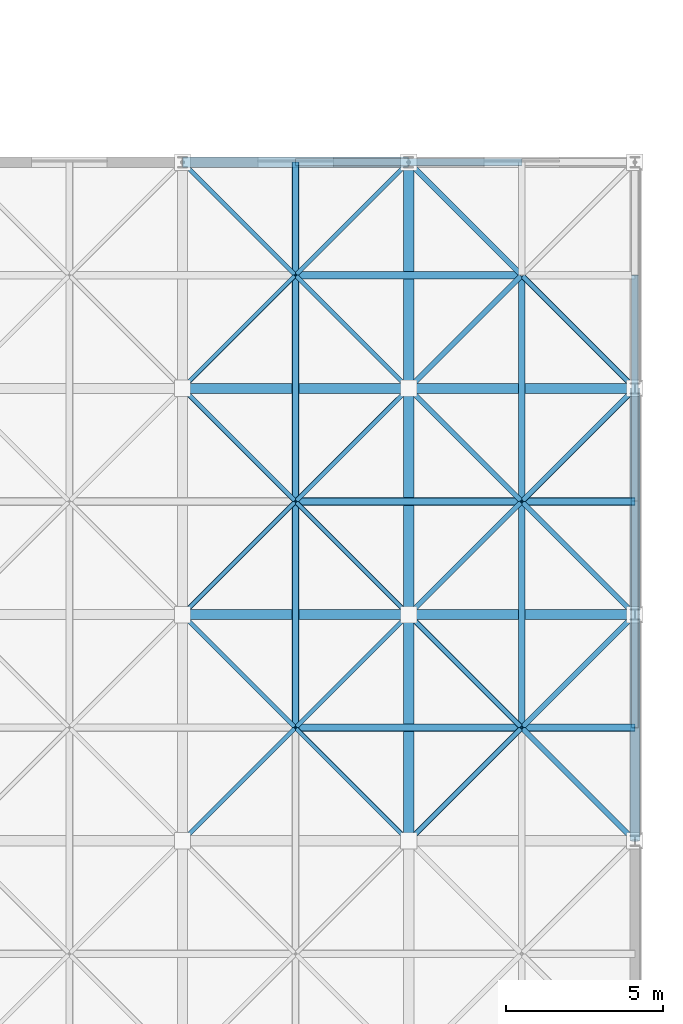
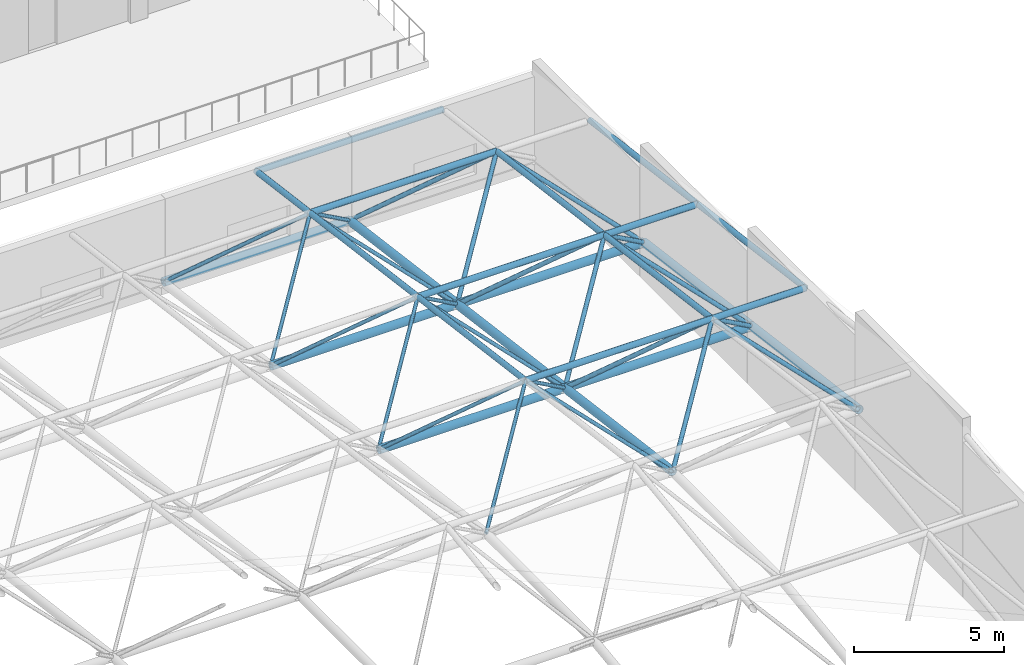
# One storey, part 61 of 103: 46 members.
"""IFC4 building model written with IfcOpenShell, lengths in metres."""

from ifc_helpers import new_model, si_unit, direction, frame, origin, origin_2d, place, context, subcontext, project, spatial, hollow_circle, extrude, material, material_profile, profile_set, type_object, element, save


model = new_model("IFC4")

# Units and contexts
model_context = context("Model", 3, precision=1e-05, world=origin(), true_north=direction((0.0, 1.0)))
body_context = subcontext(model_context, "Body", "Model", "MODEL_VIEW")
ifc_project = project(units=[si_unit("LENGTHUNIT", "METRE"), si_unit("AREAUNIT", "SQUARE_METRE"), si_unit("VOLUMEUNIT", "CUBIC_METRE"), si_unit("PLANEANGLEUNIT", "RADIAN"), si_unit("MASSUNIT", "GRAM", prefix="KILO")], contexts=[model_context])

# Site, building, storey
site_placement = place(None, origin())
site = spatial("IfcSite", under=ifc_project, at=site_placement, CompositionType="ELEMENT")
building_placement = place(site_placement, origin())
building = spatial("IfcBuilding", under=site, at=building_placement, Name="Thalmaran Polytechnic", CompositionType="ELEMENT")
storey_placement = place(building_placement, frame((0.0, 0.0, 14.39990234375)))
storey = spatial("IfcBuildingStorey", under=building, at=storey_placement, Name="L03", CompositionType="ELEMENT", Elevation=14.39990234375)

# Members
ifc_material = material(Name="Steel S355", Category="steel")
ifc_material_profile_1 = material_profile(ifc_material, hollow_circle(Radius=0.161865234375, WallThickness=0.012451171875, at=origin_2d()), Name="CHS 323.9x12.5")
ifc_profile_set_1 = profile_set([ifc_material_profile_1], Name="Steel S355")
member_type_1 = type_object("IfcMemberType", Name="MB-SFC0", PredefinedType="CHORD", material=ifc_profile_set_1)
member_1_placement = place(storey_placement, frame((158.39990234375, 50.39990234375, 0.380126953125), z_axis=(1.0, 0.0, 0.0), x_axis=(0.0, 1.0, 0.0)))
element("IfcMember", 1, at=member_1_placement, inside=storey, type_object=member_type_1, Name="Space-Frame Bottom Chord X (7,8)", PredefinedType="CHORD", context=body_context, shape_type="SweptSolid", body=[
    extrude(hollow_circle(Radius=0.161865234375, WallThickness=0.012451171875, at=origin_2d()), origin(), (0.0, 0.0, 1.0), 7.2001953125),
])
for number, where, z_axis, x_axis, name in (
    (2, (172.800048828125, 28.800048828125, 3.223876953125), (0.0, 0.991442963585, -0.130540606544), (-1.0, 0.0, 0.0), "Space-Frame Bottom Chord Y (9,5)"),
    (3, (172.800048828125, 36.0, 2.27587890625), (0.0, 0.991442963585, -0.130540606544), (-1.0, 0.0, 0.0), "Space-Frame Bottom Chord Y (9,6)"),
):
    element("IfcMember", number, at=place(storey_placement, frame(where, z_axis=z_axis, x_axis=x_axis)), inside=storey, type_object=member_type_1, Name=name, PredefinedType="CHORD", context=body_context, shape_type="SweptSolid", body=[
        extrude(hollow_circle(Radius=0.161865234375, WallThickness=0.012451171875, at=origin_2d()), origin(), (0.0, 0.0, 1.0), 7.26220703125),
    ])
ifc_material_profile_2 = material_profile(ifc_material, hollow_circle(Radius=0.122314453125, WallThickness=0.010009765625, at=origin_2d()), Name="CHS 244.5x10.0")
ifc_profile_set_2 = profile_set([ifc_material_profile_2], Name="Steel S355")
member_type_2 = type_object("IfcMemberType", Name="MB-SFC1", PredefinedType="CHORD", material=ifc_profile_set_2)
for number, where, z_axis, x_axis, name in (
    (4, (162.0, 32.39990234375, 6.019775390625), (1.0, 0.0, 0.0), (0.0, 1.0, 0.0), "Space-Frame Top Chord X (8,6)"),
    (5, (162.0, 39.60009765625, 5.072021484375), (1.0, 0.0, 0.0), (0.0, 1.0, 0.0), "Space-Frame Top Chord X (8,7)"),
    (6, (162.0, 46.800048828125, 4.1240234375), (1.0, 0.0, 0.0), (0.0, 1.0, 0.0), "Space-Frame Top Chord X (8,8)"),
    (7, (162.0, 50.39990234375, 3.650146484375), (1.0, 0.0, 0.0), (0.0, 1.0, 0.0), "Space-Frame Top Chord X (8,9)"),
):
    element("IfcMember", number, at=place(storey_placement, frame(where, z_axis=z_axis, x_axis=x_axis)), inside=storey, type_object=member_type_2, Name=name, PredefinedType="CHORD", context=body_context, shape_type="SweptSolid", body=[
        extrude(hollow_circle(Radius=0.122314453125, WallThickness=0.010009765625, at=origin_2d()), origin(), (0.0, 0.0, 1.0), 7.199951171875),
    ])
for number, where, z_axis, x_axis, name in (
    (8, (169.199951171875, 32.39990234375, 6.019775390625), (1.0, 0.0, 0.0), (0.0, 1.0, 0.0), "Space-Frame Top Chord X (9,6)"),
    (9, (169.199951171875, 39.60009765625, 5.072021484375), (1.0, 0.0, 0.0), (0.0, 1.0, 0.0), "Space-Frame Top Chord X (9,7)"),
):
    element("IfcMember", number, at=place(storey_placement, frame(where, z_axis=z_axis, x_axis=x_axis)), inside=storey, type_object=member_type_2, Name=name, PredefinedType="CHORD", context=body_context, shape_type="SweptSolid", body=[
        extrude(hollow_circle(Radius=0.122314453125, WallThickness=0.010009765625, at=origin_2d()), origin(), (0.0, 0.0, 1.0), 3.60009765625),
    ])
ifc_material_profile_3 = material_profile(ifc_material, hollow_circle(Radius=0.109619140625, WallThickness=0.010009765625, at=origin_2d()), Name="CHS 219.1x10.0")
ifc_profile_set_3 = profile_set([ifc_material_profile_3], Name="Steel S355")
member_type_3 = type_object("IfcMemberType", Name="MB-SFC2", PredefinedType="CHORD", material=ifc_profile_set_3)
for number, where, z_axis, x_axis, name in (
    (10, (162.0, 32.39990234375, 6.019775390625), (0.0, 0.991447886651, -0.130503210904), (-1.0, 0.0, 0.0), "Space-Frame Top Chord Y (8,6)"),
    (11, (162.0, 39.60009765625, 5.072021484375), (0.0, 0.991442963585, -0.130540606544), (-1.0, 0.0, 0.0), "Space-Frame Top Chord Y (8,7)"),
):
    element("IfcMember", number, at=place(storey_placement, frame(where, z_axis=z_axis, x_axis=x_axis)), inside=storey, type_object=member_type_3, Name=name, PredefinedType="CHORD", context=body_context, shape_type="SweptSolid", body=[
        extrude(hollow_circle(Radius=0.109619140625, WallThickness=0.010009765625, at=origin_2d()), origin(), (0.0, 0.0, 1.0), 7.26220703125),
    ])
member_2_placement = place(storey_placement, frame((162.0, 46.800048828125, 4.1240234375), z_axis=(0.0, 0.99144674145, -0.130511910828), x_axis=(-1.0, 0.0, 0.0)))
element("IfcMember", 12, at=member_2_placement, inside=storey, type_object=member_type_3, Name="Space-Frame Top Chord Y (8,8)", PredefinedType="CHORD", context=body_context, shape_type="SweptSolid", body=[
    extrude(hollow_circle(Radius=0.109619140625, WallThickness=0.010009765625, at=origin_2d()), origin(), (0.0, 0.0, 1.0), 3.630859375),
])
for number, where, z_axis, x_axis, name in (
    (13, (169.199951171875, 32.39990234375, 6.019775390625), (0.0, 0.991447886651, -0.130503210904), (-1.0, 0.0, 0.0), "Space-Frame Top Chord Y (9,6)"),
    (14, (169.199951171875, 39.60009765625, 5.072021484375), (0.0, 0.991442963585, -0.130540606544), (-1.0, 0.0, 0.0), "Space-Frame Top Chord Y (9,7)"),
    (15, (172.800048828125, 32.39990234375, 6.019775390625), (0.0, 0.991447886651, -0.130503210904), (-1.0, 0.0, 0.0), "Space-Frame Top Chord Y (10,6)"),
    (16, (172.800048828125, 39.60009765625, 5.072021484375), (0.0, 0.991442963585, -0.130540606544), (-1.0, 0.0, 0.0), "Space-Frame Top Chord Y (10,7)"),
):
    element("IfcMember", number, at=place(storey_placement, frame(where, z_axis=z_axis, x_axis=x_axis)), inside=storey, type_object=member_type_3, Name=name, PredefinedType="CHORD", context=body_context, shape_type="SweptSolid", body=[
        extrude(hollow_circle(Radius=0.109619140625, WallThickness=0.010009765625, at=origin_2d()), origin(), (0.0, 0.0, 1.0), 7.26220703125),
    ])
ifc_material_profile_4 = material_profile(ifc_material, hollow_circle(Radius=0.161865234375, WallThickness=0.012451171875, at=origin_2d()), Name="CHS 323.9x12.5")
ifc_profile_set_4 = profile_set([ifc_material_profile_4], Name="Steel S355")
member_type_4 = type_object("IfcMemberType", Name="MB-SFC4", PredefinedType="CHORD", material=ifc_profile_set_4)
for number, where, z_axis, x_axis, name in (
    (17, (158.39990234375, 36.0, 2.27587890625), (1.0, 0.0, 0.0), (0.0, 1.0, 0.0), "Space-Frame Bottom Chord X (7,6)"),
    (18, (158.39990234375, 43.199951171875, 1.327880859375), (1.0, 0.0, 0.0), (0.0, 1.0, 0.0), "Space-Frame Bottom Chord X (7,7)"),
):
    element("IfcMember", number, at=place(storey_placement, frame(where, z_axis=z_axis, x_axis=x_axis)), inside=storey, type_object=member_type_4, Name=name, PredefinedType="CHORD", context=body_context, shape_type="SweptSolid", body=[
        extrude(hollow_circle(Radius=0.161865234375, WallThickness=0.012451171875, at=origin_2d()), origin(), (0.0, 0.0, 1.0), 7.2001953125),
    ])
member_3_placement = place(storey_placement, frame((165.60009765625, 28.800048828125, 3.223876953125), z_axis=(0.0, 0.991442963585, -0.130540606544), x_axis=(-1.0, 0.0, 0.0)))
element("IfcMember", 19, at=member_3_placement, inside=storey, type_object=member_type_4, Name="Space-Frame Bottom Chord Y (8,5)", PredefinedType="CHORD", context=body_context, shape_type="SweptSolid", body=[
    extrude(hollow_circle(Radius=0.161865234375, WallThickness=0.012451171875, at=origin_2d()), origin(), (0.0, 0.0, 1.0), 7.26220703125),
])
member_4_placement = place(storey_placement, frame((165.60009765625, 36.0, 2.27587890625), z_axis=(1.0, 0.0, 0.0), x_axis=(0.0, 1.0, 0.0)))
element("IfcMember", 20, at=member_4_placement, inside=storey, type_object=member_type_4, Name="Space-Frame Bottom Chord X (8,6)", PredefinedType="CHORD", context=body_context, shape_type="SweptSolid", body=[
    extrude(hollow_circle(Radius=0.161865234375, WallThickness=0.012451171875, at=origin_2d()), origin(), (0.0, 0.0, 1.0), 7.199951171875),
])
member_5_placement = place(storey_placement, frame((165.60009765625, 36.0, 2.27587890625), z_axis=(0.0, 0.991442963585, -0.130540606544), x_axis=(-1.0, 0.0, 0.0)))
element("IfcMember", 21, at=member_5_placement, inside=storey, type_object=member_type_4, Name="Space-Frame Bottom Chord Y (8,6)", PredefinedType="CHORD", context=body_context, shape_type="SweptSolid", body=[
    extrude(hollow_circle(Radius=0.161865234375, WallThickness=0.012451171875, at=origin_2d()), origin(), (0.0, 0.0, 1.0), 7.26220703125),
])
member_6_placement = place(storey_placement, frame((165.60009765625, 43.199951171875, 1.327880859375), z_axis=(1.0, 0.0, 0.0), x_axis=(0.0, 1.0, 0.0)))
element("IfcMember", 22, at=member_6_placement, inside=storey, type_object=member_type_4, Name="Space-Frame Bottom Chord X (8,7)", PredefinedType="CHORD", context=body_context, shape_type="SweptSolid", body=[
    extrude(hollow_circle(Radius=0.161865234375, WallThickness=0.012451171875, at=origin_2d()), origin(), (0.0, 0.0, 1.0), 7.199951171875),
])
member_7_placement = place(storey_placement, frame((165.60009765625, 43.199951171875, 1.327880859375), z_axis=(0.0, 0.991447314079, -0.130507560722), x_axis=(-1.0, 0.0, 0.0)))
element("IfcMember", 23, at=member_7_placement, inside=storey, type_object=member_type_4, Name="Space-Frame Bottom Chord Y (8,7)", PredefinedType="CHORD", context=body_context, shape_type="SweptSolid", body=[
    extrude(hollow_circle(Radius=0.161865234375, WallThickness=0.012451171875, at=origin_2d()), origin(), (0.0, 0.0, 1.0), 7.261962890625),
])
ifc_material_profile_5 = material_profile(ifc_material, hollow_circle(Radius=0.084228515625, WallThickness=0.008056640625, at=origin_2d()), Name="CHS 168.3x8.0")
ifc_profile_set_5 = profile_set([ifc_material_profile_5], Name="Steel S355")
member_type_5 = type_object("IfcMemberType", Name="MB-SFD1", PredefinedType="BRACE", material=ifc_profile_set_5)
member_8_placement = place(storey_placement, frame((165.60009765625, 28.800048828125, 3.223876953125), z_axis=(0.619790429784, 0.619790429784, 0.481372668829), x_axis=(-0.707106781187, 0.707106781187, 0.0)))
element("IfcMember", 24, at=member_8_placement, inside=storey, type_object=member_type_5, Name="Space-Frame Web Diagonal (8,5)-1", PredefinedType="BRACE", context=body_context, shape_type="SweptSolid", body=[
    extrude(hollow_circle(Radius=0.084228515625, WallThickness=0.008056640625, at=origin_2d()), origin(), (0.0, 0.0, 1.0), 5.80810546875),
])
member_9_placement = place(storey_placement, frame((172.800048828125, 28.800048828125, 3.223876953125), z_axis=(-0.619816315787, 0.619774282943, 0.481360128061), x_axis=(-0.707082803744, -0.707130757816, 0.0)))
element("IfcMember", 25, at=member_9_placement, inside=storey, type_object=member_type_5, Name="Space-Frame Web Diagonal (8,5)-2", PredefinedType="BRACE", context=body_context, shape_type="SweptSolid", body=[
    extrude(hollow_circle(Radius=0.084228515625, WallThickness=0.008056640625, at=origin_2d()), origin(), (0.0, 0.0, 1.0), 5.808349609375),
])
for number, where, z_axis, x_axis, name in (
    (26, (165.60009765625, 36.0, 2.27587890625), (0.569639794751, -0.569678427494, 0.592433113089), (0.707130757816, 0.707082803744, 0.0), "Space-Frame Web Diagonal (8,5)-3"),
    (27, (172.800048828125, 36.0, 2.27587890625), (-0.569665890713, -0.569665890713, 0.592420075552), (0.707106781187, -0.707106781187, 0.0), "Space-Frame Web Diagonal (8,5)-4"),
):
    element("IfcMember", number, at=place(storey_placement, frame(where, z_axis=z_axis, x_axis=x_axis)), inside=storey, type_object=member_type_5, Name=name, PredefinedType="BRACE", context=body_context, shape_type="SweptSolid", body=[
        extrude(hollow_circle(Radius=0.084228515625, WallThickness=0.008056640625, at=origin_2d()), origin(), (0.0, 0.0, 1.0), 6.319580078125),
    ])
member_10_placement = place(storey_placement, frame((165.60009765625, 36.0, 2.27587890625), z_axis=(0.619761742923, 0.619803774917, 0.481392420597), x_axis=(-0.707130757816, 0.707082803744, 0.0)))
element("IfcMember", 28, at=member_10_placement, inside=storey, type_object=member_type_5, Name="Space-Frame Web Diagonal (8,6)-1", PredefinedType="BRACE", context=body_context, shape_type="SweptSolid", body=[
    extrude(hollow_circle(Radius=0.084228515625, WallThickness=0.008056640625, at=origin_2d()), origin(), (0.0, 0.0, 1.0), 5.808349609375),
])
member_11_placement = place(storey_placement, frame((172.800048828125, 36.0, 2.27587890625), z_axis=(-0.619787629222, 0.619787629222, 0.481379880475), x_axis=(-0.707106781187, -0.707106781187, 0.0)))
element("IfcMember", 29, at=member_11_placement, inside=storey, type_object=member_type_5, Name="Space-Frame Web Diagonal (8,6)-2", PredefinedType="BRACE", context=body_context, shape_type="SweptSolid", body=[
    extrude(hollow_circle(Radius=0.084228515625, WallThickness=0.008056640625, at=origin_2d()), origin(), (0.0, 0.0, 1.0), 5.80859375),
])
for number, where, z_axis, x_axis, name in (
    (30, (165.60009765625, 43.199951171875, 1.327880859375), (0.569639293145, -0.569639293145, 0.592471224121), (0.707106781187, 0.707106781187, 0.0), "Space-Frame Web Diagonal (8,6)-3"),
    (31, (172.800048828125, 43.199951171875, 1.327880859375), (-0.569665389106, -0.569626757247, 0.592458185768), (0.707082803744, -0.707130757816, 0.0), "Space-Frame Web Diagonal (8,6)-4"),
):
    element("IfcMember", number, at=place(storey_placement, frame(where, z_axis=z_axis, x_axis=x_axis)), inside=storey, type_object=member_type_5, Name=name, PredefinedType="BRACE", context=body_context, shape_type="SweptSolid", body=[
        extrude(hollow_circle(Radius=0.084228515625, WallThickness=0.008056640625, at=origin_2d()), origin(), (0.0, 0.0, 1.0), 6.319580078125),
    ])
member_12_placement = place(storey_placement, frame((165.60009765625, 43.199951171875, 1.327880859375), z_axis=(0.619761742923, 0.619803774917, 0.481392420597), x_axis=(-0.707130757816, 0.707082803744, 0.0)))
element("IfcMember", 32, at=member_12_placement, inside=storey, type_object=member_type_5, Name="Space-Frame Web Diagonal (8,7)-1", PredefinedType="BRACE", context=body_context, shape_type="SweptSolid", body=[
    extrude(hollow_circle(Radius=0.084228515625, WallThickness=0.008056640625, at=origin_2d()), origin(), (0.0, 0.0, 1.0), 5.808349609375),
])
member_13_placement = place(storey_placement, frame((172.800048828125, 43.199951171875, 1.327880859375), z_axis=(-0.619787629222, 0.619787629222, 0.481379880475), x_axis=(-0.707106781187, -0.707106781187, 0.0)))
element("IfcMember", 33, at=member_13_placement, inside=storey, type_object=member_type_5, Name="Space-Frame Web Diagonal (8,7)-2", PredefinedType="BRACE", context=body_context, shape_type="SweptSolid", body=[
    extrude(hollow_circle(Radius=0.084228515625, WallThickness=0.008056640625, at=origin_2d()), origin(), (0.0, 0.0, 1.0), 5.80859375),
])
member_14_placement = place(storey_placement, frame((165.60009765625, 50.39990234375, 0.380126953125), z_axis=(0.569652331509, -0.569652331509, 0.592446151488), x_axis=(0.707106781187, 0.707106781187, 0.0)))
element("IfcMember", 34, at=member_14_placement, inside=storey, type_object=member_type_5, Name="Space-Frame Web Diagonal (8,7)-3", PredefinedType="BRACE", context=body_context, shape_type="SweptSolid", body=[
    extrude(hollow_circle(Radius=0.084228515625, WallThickness=0.008056640625, at=origin_2d()), origin(), (0.0, 0.0, 1.0), 6.3193359375),
])
ifc_material_profile_6 = material_profile(ifc_material, hollow_circle(Radius=0.06982421875, WallThickness=0.008056640625, at=origin_2d()), Name="CHS 139.7x8.0")
ifc_profile_set_6 = profile_set([ifc_material_profile_6], Name="Steel S355")
member_type_6 = type_object("IfcMemberType", Name="MB-SFD2", PredefinedType="BRACE", material=ifc_profile_set_6)
for number, where, z_axis, x_axis, name in (
    (35, (158.39990234375, 28.800048828125, 3.223876953125), (0.619816315787, 0.619774282943, 0.481360128061), (-0.707082803744, 0.707130757816, 0.0), "Space-Frame Web Diagonal (7,5)-1"),
    (36, (165.60009765625, 28.800048828125, 3.223876953125), (-0.619816315787, 0.619774282943, 0.481360128061), (-0.707082803744, -0.707130757816, 0.0), "Space-Frame Web Diagonal (7,5)-2"),
):
    element("IfcMember", number, at=place(storey_placement, frame(where, z_axis=z_axis, x_axis=x_axis)), inside=storey, type_object=member_type_6, Name=name, PredefinedType="BRACE", context=body_context, shape_type="SweptSolid", body=[
        extrude(hollow_circle(Radius=0.06982421875, WallThickness=0.008056640625, at=origin_2d()), origin(), (0.0, 0.0, 1.0), 5.808349609375),
    ])
for number, where, z_axis, x_axis, name in (
    (37, (158.39990234375, 36.0, 2.27587890625), (0.569665890713, -0.569665890713, 0.592420075552), (0.707106781187, 0.707106781187, 0.0), "Space-Frame Web Diagonal (7,5)-3"),
    (38, (165.60009765625, 36.0, 2.27587890625), (-0.569665890713, -0.569665890713, 0.592420075552), (0.707106781187, -0.707106781187, 0.0), "Space-Frame Web Diagonal (7,5)-4"),
):
    element("IfcMember", number, at=place(storey_placement, frame(where, z_axis=z_axis, x_axis=x_axis)), inside=storey, type_object=member_type_6, Name=name, PredefinedType="BRACE", context=body_context, shape_type="SweptSolid", body=[
        extrude(hollow_circle(Radius=0.06982421875, WallThickness=0.008056640625, at=origin_2d()), origin(), (0.0, 0.0, 1.0), 6.319580078125),
    ])
for number, where, z_axis, x_axis, name in (
    (39, (158.39990234375, 36.0, 2.27587890625), (0.619787629222, 0.619787629222, 0.481379880475), (-0.707106781187, 0.707106781187, 0.0), "Space-Frame Web Diagonal (7,6)-1"),
    (40, (165.60009765625, 36.0, 2.27587890625), (-0.619787629222, 0.619787629222, 0.481379880475), (-0.707106781187, -0.707106781187, 0.0), "Space-Frame Web Diagonal (7,6)-2"),
):
    element("IfcMember", number, at=place(storey_placement, frame(where, z_axis=z_axis, x_axis=x_axis)), inside=storey, type_object=member_type_6, Name=name, PredefinedType="BRACE", context=body_context, shape_type="SweptSolid", body=[
        extrude(hollow_circle(Radius=0.06982421875, WallThickness=0.008056640625, at=origin_2d()), origin(), (0.0, 0.0, 1.0), 5.80859375),
    ])
for number, where, z_axis, x_axis, name in (
    (41, (158.39990234375, 43.199951171875, 1.327880859375), (0.569665389106, -0.569626757247, 0.592458185768), (0.707082803744, 0.707130757816, 0.0), "Space-Frame Web Diagonal (7,6)-3"),
    (42, (165.60009765625, 43.199951171875, 1.327880859375), (-0.569665389106, -0.569626757247, 0.592458185768), (0.707082803744, -0.707130757816, 0.0), "Space-Frame Web Diagonal (7,6)-4"),
):
    element("IfcMember", number, at=place(storey_placement, frame(where, z_axis=z_axis, x_axis=x_axis)), inside=storey, type_object=member_type_6, Name=name, PredefinedType="BRACE", context=body_context, shape_type="SweptSolid", body=[
        extrude(hollow_circle(Radius=0.06982421875, WallThickness=0.008056640625, at=origin_2d()), origin(), (0.0, 0.0, 1.0), 6.319580078125),
    ])
for number, where, z_axis, x_axis, name in (
    (43, (158.39990234375, 43.199951171875, 1.327880859375), (0.619787629222, 0.619787629222, 0.481379880475), (-0.707106781187, 0.707106781187, 0.0), "Space-Frame Web Diagonal (7,7)-1"),
    (44, (165.60009765625, 43.199951171875, 1.327880859375), (-0.619787629222, 0.619787629222, 0.481379880475), (-0.707106781187, -0.707106781187, 0.0), "Space-Frame Web Diagonal (7,7)-2"),
):
    element("IfcMember", number, at=place(storey_placement, frame(where, z_axis=z_axis, x_axis=x_axis)), inside=storey, type_object=member_type_6, Name=name, PredefinedType="BRACE", context=body_context, shape_type="SweptSolid", body=[
        extrude(hollow_circle(Radius=0.06982421875, WallThickness=0.008056640625, at=origin_2d()), origin(), (0.0, 0.0, 1.0), 5.80859375),
    ])
for number, where, z_axis, x_axis, name in (
    (45, (158.39990234375, 50.39990234375, 0.380126953125), (0.569678427494, -0.569639794751, 0.592433113089), (0.707082803744, 0.707130757816, 0.0), "Space-Frame Web Diagonal (7,7)-3"),
    (46, (165.60009765625, 50.39990234375, 0.380126953125), (-0.569678427494, -0.569639794751, 0.592433113089), (0.707082803744, -0.707130757816, 0.0), "Space-Frame Web Diagonal (7,7)-4"),
):
    element("IfcMember", number, at=place(storey_placement, frame(where, z_axis=z_axis, x_axis=x_axis)), inside=storey, type_object=member_type_6, Name=name, PredefinedType="BRACE", context=body_context, shape_type="SweptSolid", body=[
        extrude(hollow_circle(Radius=0.06982421875, WallThickness=0.008056640625, at=origin_2d()), origin(), (0.0, 0.0, 1.0), 6.319580078125),
    ])

save(model, "model.ifc")
